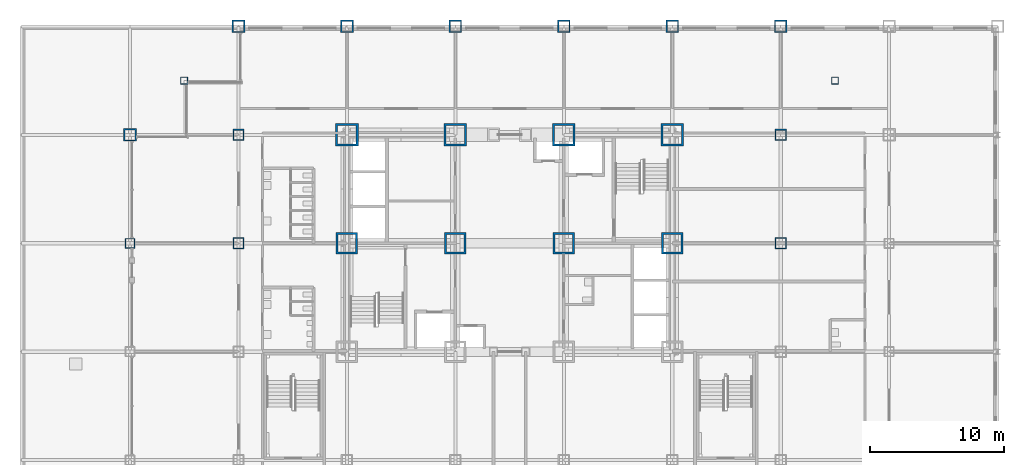
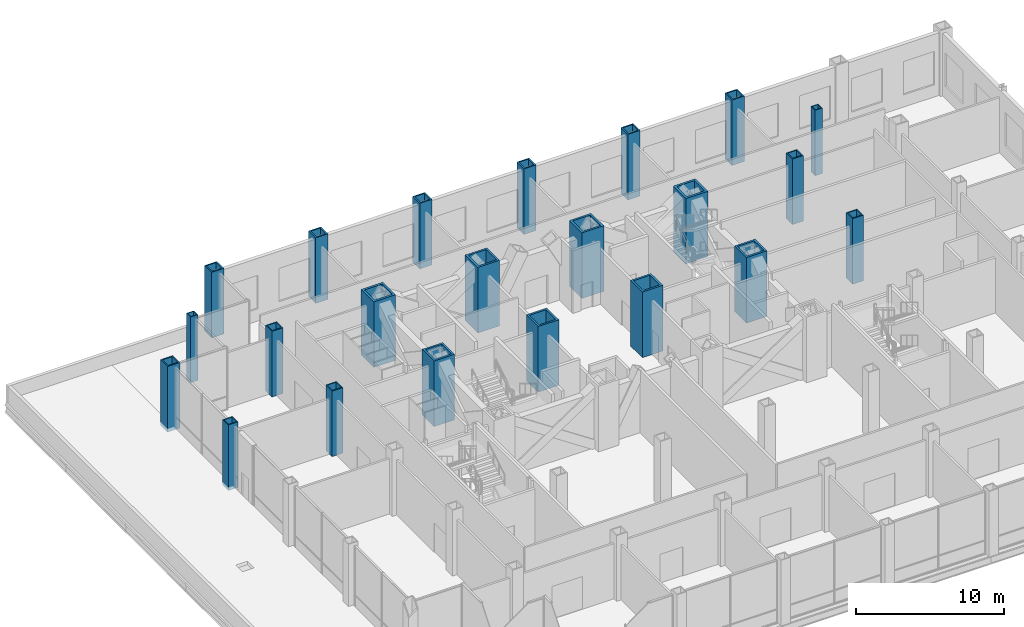
# One storey, part 5 of 26: 22 columns.
"""IFC4 building model written with IfcOpenShell, lengths in metres."""

from ifc_helpers import new_model, si_unit, direction, frame, origin, origin_2d, place, context, subcontext, project, spatial, hollow_rectangle, extrude, material, material_profile, profile_set, type_object, element, save


model = new_model("IFC4")

# Units and contexts
model_context = context("Model", 3, precision=1e-05, world=origin(), true_north=direction((0.0, 1.0)))
body_context = subcontext(model_context, "Body", "Model", "MODEL_VIEW")
ifc_project = project(units=[si_unit("LENGTHUNIT", "METRE"), si_unit("AREAUNIT", "SQUARE_METRE"), si_unit("VOLUMEUNIT", "CUBIC_METRE"), si_unit("PLANEANGLEUNIT", "RADIAN"), si_unit("MASSUNIT", "GRAM", prefix="KILO")], contexts=[model_context])

# Site, building, storey
site_placement = place(None, origin())
site = spatial("IfcSite", under=ifc_project, at=site_placement, CompositionType="ELEMENT")
building_placement = place(site_placement, origin())
building = spatial("IfcBuilding", under=site, at=building_placement, Name="Kopane Lantern Tower", CompositionType="ELEMENT")
storey_placement = place(building_placement, frame((0.0, 0.0, 16.800048828125)))
storey = spatial("IfcBuildingStorey", under=building, at=storey_placement, Name="L03", CompositionType="ELEMENT", Elevation=16.800048828125)

# Columns
ifc_material_1 = material(Name="Steel S355JR", Category="steel")
ifc_material_profile_1 = material_profile(ifc_material_1, hollow_rectangle(XDim=1.60009765625, YDim=1.60009765625, WallThickness=0.14990234375, at=origin_2d()), Name="BOX 1600x1600x150")
ifc_profile_set_1 = profile_set([ifc_material_profile_1], Name="Steel S355JR")
column_type_1 = type_object("IfcColumnType", Name="COLUMN BOX 1600x1600x150", PredefinedType="COLUMN", material=ifc_profile_set_1)
for number, where, z_axis, x_axis, name in (
    (1, (16.199951171875, 32.39990234375, 0.0), (0.0, 0.0, 1.0), (1.0, 0.0, 0.0), "Column 4/F L03"),
    (2, (24.300048828125, 32.39990234375, 0.0), (0.0, 0.0, 1.0), (1.0, 0.0, 0.0), "Column 5/F L03"),
    (3, (32.39990234375, 32.39990234375, 0.0), (0.0, 0.0, 1.0), (1.0, 0.0, 0.0), "Column 6/F L03"),
    (4, (40.5, 32.39990234375, 0.0), (0.0, 0.0, 1.0), (1.0, 0.0, 0.0), "Column 7/F L03"),
):
    element("IfcColumn", number, at=place(storey_placement, frame(where, z_axis=z_axis, x_axis=x_axis)), inside=storey, type_object=column_type_1, Name=name, PredefinedType="COLUMN", context=body_context, shape_type="SweptSolid", body=[
        extrude(hollow_rectangle(XDim=1.60009765625, YDim=1.60009765625, WallThickness=0.14990234375, at=origin_2d()), origin(), (0.0, 0.0, 1.0), 5.39990234375),
    ])
ifc_material_2 = material(Name="Steel S355JR", Category="steel")
ifc_material_profile_2 = material_profile(ifc_material_2, hollow_rectangle(XDim=1.699951171875, YDim=1.699951171875, WallThickness=0.159912109375, at=origin_2d()), Name="BOX 1700x1700x160")
ifc_profile_set_2 = profile_set([ifc_material_profile_2], Name="Steel S355JR")
column_type_2 = type_object("IfcColumnType", Name="COLUMN BOX 1700x1700x160", PredefinedType="COLUMN", material=ifc_profile_set_2)
for number, where, z_axis, x_axis, name in (
    (5, (16.199951171875, 40.5, 0.0), (0.0, 0.0, 1.0), (1.0, 0.0, 0.0), "Column 4/G L03"),
    (6, (24.300048828125, 40.5, 0.0), (0.0, 0.0, 1.0), (1.0, 0.0, 0.0), "Column 5/G L03"),
    (7, (32.39990234375, 40.5, 0.0), (0.0, 0.0, 1.0), (1.0, 0.0, 0.0), "Column 6/G L03"),
    (8, (40.5, 40.5, 0.0), (0.0, 0.0, 1.0), (1.0, 0.0, 0.0), "Column 7/G L03"),
):
    element("IfcColumn", number, at=place(storey_placement, frame(where, z_axis=z_axis, x_axis=x_axis)), inside=storey, type_object=column_type_2, Name=name, PredefinedType="COLUMN", context=body_context, shape_type="SweptSolid", body=[
        extrude(hollow_rectangle(XDim=1.699951171875, YDim=1.699951171875, WallThickness=0.159912109375, at=origin_2d()), origin(), (0.0, 0.0, 1.0), 5.39990234375),
    ])
ifc_material_3 = material(Name="Steel S355JR", Category="steel")
ifc_material_profile_3 = material_profile(ifc_material_3, hollow_rectangle(XDim=0.550048828125, YDim=0.550048828125, WallThickness=0.050048828125, at=origin_2d()), Name="BOX 550x550x50")
ifc_profile_set_3 = profile_set([ifc_material_profile_3], Name="Steel S355JR")
column_type_3 = type_object("IfcColumnType", Name="COLUMN BOX 550x550x50", PredefinedType="COLUMN", material=ifc_profile_set_3)
for number, where, z_axis, x_axis, name in (
    (9, (4.050048828125, 44.550048828125, 0.0), (0.0, 0.0, 1.0), (1.0, 0.0, 0.0), "Column 4.05/44.55 L03"),
    (10, (52.64990234375, 44.550048828125, 0.0), (0.0, 0.0, 1.0), (1.0, 0.0, 0.0), "Column 52.65/44.55 L03"),
):
    element("IfcColumn", number, at=place(storey_placement, frame(where, z_axis=z_axis, x_axis=x_axis)), inside=storey, type_object=column_type_3, Name=name, PredefinedType="COLUMN", context=body_context, shape_type="SweptSolid", body=[
        extrude(hollow_rectangle(XDim=0.550048828125, YDim=0.550048828125, WallThickness=0.050048828125, at=origin_2d()), origin(), (0.0, 0.0, 1.0), 5.39990234375),
    ])
ifc_material_4 = material(Name="Steel S355JR", Category="steel")
ifc_material_profile_4 = material_profile(ifc_material_4, hollow_rectangle(XDim=0.75, YDim=0.75, WallThickness=0.070068359375, at=origin_2d()), Name="BOX 750x750x70")
ifc_profile_set_4 = profile_set([ifc_material_profile_4], Name="Steel S355JR")
column_type_4 = type_object("IfcColumnType", Name="COLUMN BOX 750x750x70", PredefinedType="COLUMN", material=ifc_profile_set_4)
column_placement = place(storey_placement, frame((0.0, 32.39990234375, 0.0), z_axis=(0.0, 0.0, 1.0), x_axis=(1.0, 0.0, 0.0)))
element("IfcColumn", 11, at=column_placement, inside=storey, type_object=column_type_4, Name="Column 2/F L03", PredefinedType="COLUMN", context=body_context, shape_type="SweptSolid", body=[
    extrude(hollow_rectangle(XDim=0.75, YDim=0.75, WallThickness=0.070068359375, at=origin_2d()), origin(), (0.0, 0.0, 1.0), 5.39990234375),
])
ifc_material_5 = material(Name="Steel S355JR", Category="steel")
ifc_material_profile_5 = material_profile(ifc_material_5, hollow_rectangle(XDim=0.85009765625, YDim=0.85009765625, WallThickness=0.0849609375, at=origin_2d()), Name="BOX 850x850x85")
ifc_profile_set_5 = profile_set([ifc_material_profile_5], Name="Steel S355JR")
column_type_5 = type_object("IfcColumnType", Name="COLUMN BOX 850x850x85", PredefinedType="COLUMN", material=ifc_profile_set_5)
for number, where, z_axis, x_axis, name in (
    (12, (8.10009765625, 32.39990234375, 0.0), (0.0, 0.0, 1.0), (1.0, 0.0, 0.0), "Column 3/F L03"),
    (13, (8.10009765625, 40.5, 0.0), (0.0, 0.0, 1.0), (1.0, 0.0, 0.0), "Column 3/G L03"),
    (14, (48.60009765625, 32.39990234375, 0.0), (0.0, 0.0, 1.0), (1.0, 0.0, 0.0), "Column 8/F L03"),
    (15, (48.60009765625, 40.5, 0.0), (0.0, 0.0, 1.0), (1.0, 0.0, 0.0), "Column 8/G L03"),
):
    element("IfcColumn", number, at=place(storey_placement, frame(where, z_axis=z_axis, x_axis=x_axis)), inside=storey, type_object=column_type_5, Name=name, PredefinedType="COLUMN", context=body_context, shape_type="SweptSolid", body=[
        extrude(hollow_rectangle(XDim=0.85009765625, YDim=0.85009765625, WallThickness=0.0849609375, at=origin_2d()), origin(), (0.0, 0.0, 1.0), 5.39990234375),
    ])
ifc_material_6 = material(Name="Steel S355JR", Category="steel")
ifc_material_profile_6 = material_profile(ifc_material_6, hollow_rectangle(XDim=0.949951171875, YDim=0.949951171875, WallThickness=0.10009765625, at=origin_2d()), Name="BOX 950x950x100")
ifc_profile_set_6 = profile_set([ifc_material_profile_6], Name="Steel S355JR")
column_type_6 = type_object("IfcColumnType", Name="COLUMN BOX 950x950x100", PredefinedType="COLUMN", material=ifc_profile_set_6)
for number, where, z_axis, x_axis, name in (
    (16, (0.0, 40.5, 0.0), (0.0, 0.0, 1.0), (1.0, 0.0, 0.0), "Column 2/G L03"),
    (17, (8.10009765625, 48.60009765625, 0.0), (0.0, 0.0, 1.0), (1.0, 0.0, 0.0), "Column 3/H L03"),
    (18, (16.199951171875, 48.60009765625, 0.0), (0.0, 0.0, 1.0), (1.0, 0.0, 0.0), "Column 4/H L03"),
    (19, (24.300048828125, 48.60009765625, 0.0), (0.0, 0.0, 1.0), (1.0, 0.0, 0.0), "Column 5/H L03"),
    (20, (32.39990234375, 48.60009765625, 0.0), (0.0, 0.0, 1.0), (1.0, 0.0, 0.0), "Column 6/H L03"),
    (21, (40.5, 48.60009765625, 0.0), (0.0, 0.0, 1.0), (1.0, 0.0, 0.0), "Column 7/H L03"),
    (22, (48.60009765625, 48.60009765625, 0.0), (0.0, 0.0, 1.0), (1.0, 0.0, 0.0), "Column 8/H L03"),
):
    element("IfcColumn", number, at=place(storey_placement, frame(where, z_axis=z_axis, x_axis=x_axis)), inside=storey, type_object=column_type_6, Name=name, PredefinedType="COLUMN", context=body_context, shape_type="SweptSolid", body=[
        extrude(hollow_rectangle(XDim=0.949951171875, YDim=0.949951171875, WallThickness=0.10009765625, at=origin_2d()), origin(), (0.0, 0.0, 1.0), 5.39990234375),
    ])

save(model, "model.ifc")
